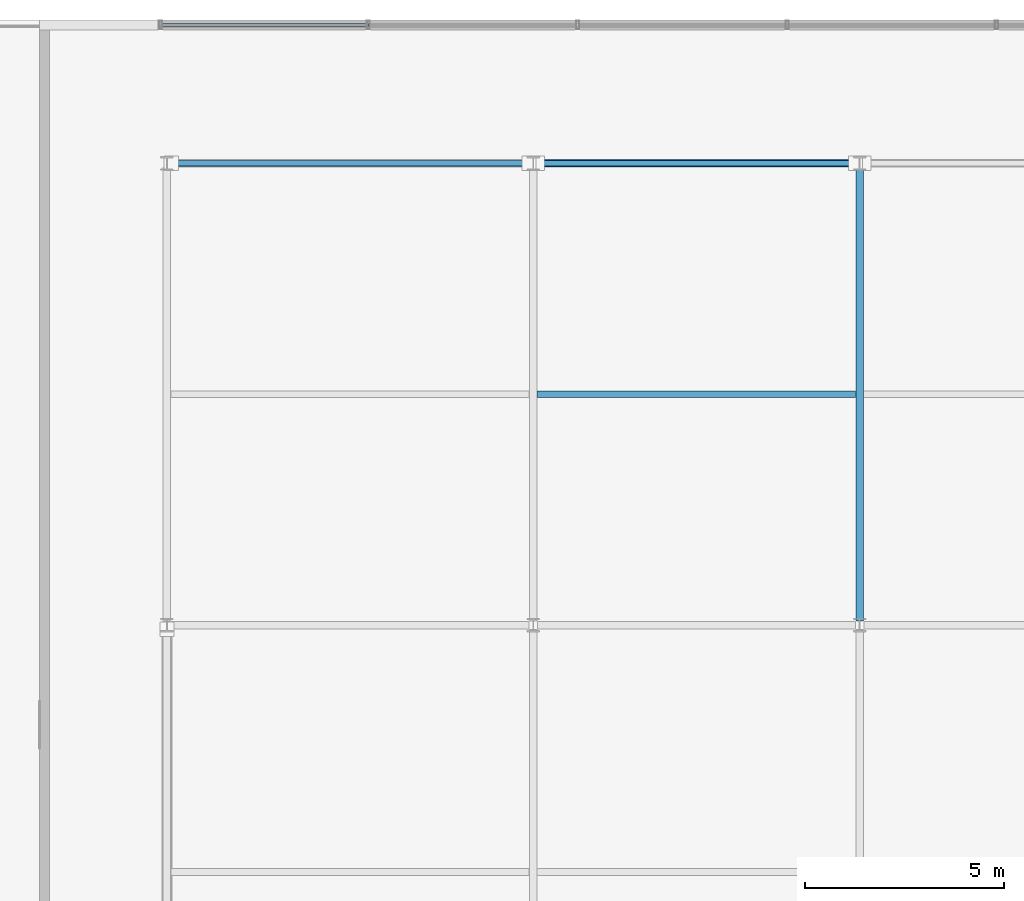
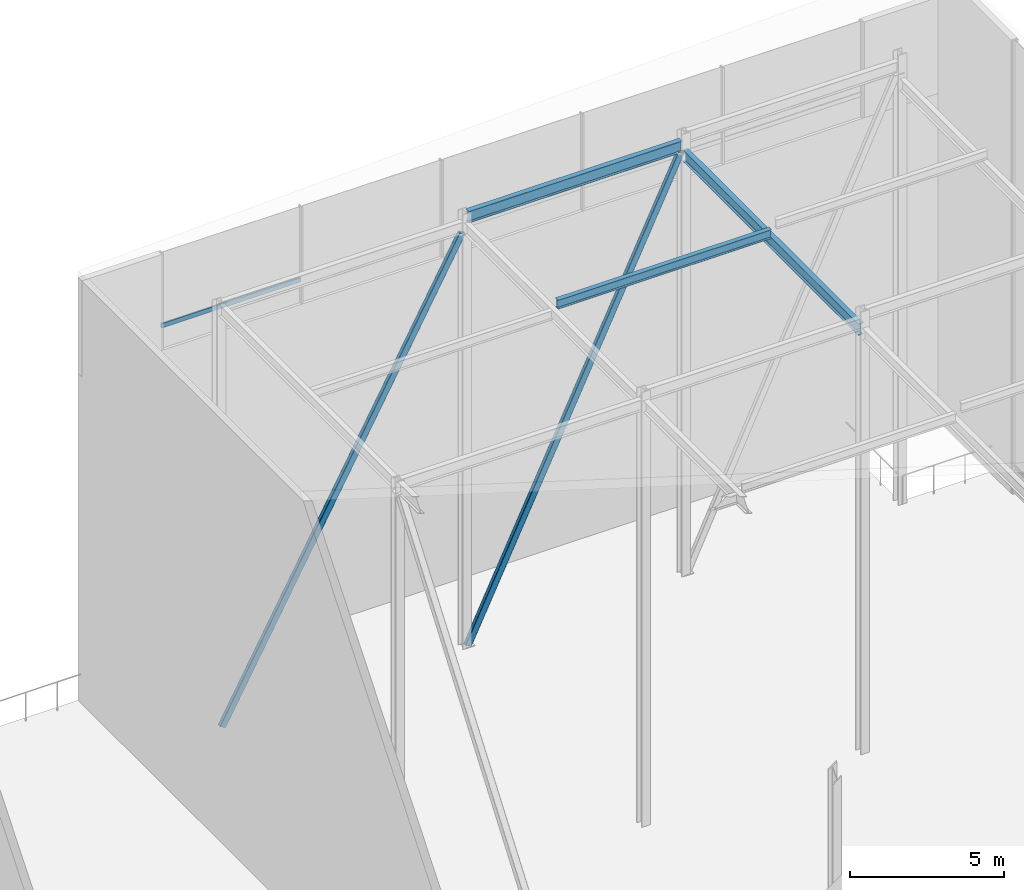
# One storey, part 23 of 39: 3 beams, 3 members, 1 element without a shape of its own.
"""IFC4 building model written with IfcOpenShell, lengths in metres."""

from ifc_helpers import new_model, si_unit, direction, frame, origin, origin_2d, place, context, subcontext, project, spatial, hollow_rectangle, i_section, extrude, material, layer, layer_set, material_profile, profile_set, type_object, element, aggregate, save


model = new_model("IFC4")

# Units and contexts
model_context = context("Model", 3, precision=1e-05, world=origin(), true_north=direction((0.0, 1.0)))
body_context = subcontext(model_context, "Body", "Model", "MODEL_VIEW")
ifc_project = project(units=[si_unit("LENGTHUNIT", "METRE"), si_unit("AREAUNIT", "SQUARE_METRE"), si_unit("VOLUMEUNIT", "CUBIC_METRE"), si_unit("PLANEANGLEUNIT", "RADIAN"), si_unit("MASSUNIT", "GRAM", prefix="KILO")], contexts=[model_context])

# Site, building, storey
site_placement = place(None, origin())
site = spatial("IfcSite", under=ifc_project, at=site_placement, CompositionType="ELEMENT")
building_placement = place(site_placement, origin())
building = spatial("IfcBuilding", under=site, at=building_placement, Name="Korimba Cascade Residences", CompositionType="ELEMENT")
storey_placement = place(building_placement, frame((0.0, 0.0, 264.199951171875)))
storey = spatial("IfcBuildingStorey", under=building, at=storey_placement, Name="RF", CompositionType="ELEMENT", Elevation=264.199951171875)

# Beams
ifc_material_1 = material(Name="Steel S355", Category="steel")
ifc_material_profile_1 = material_profile(ifc_material_1, i_section(OverallWidth=0.172119140625, OverallDepth=0.35791015625, WebThickness=0.008056640625, FlangeThickness=0.012939453125, FilletRadius=0.01025390625, at=origin_2d()), Name="Steel S355")
ifc_profile_set_1 = profile_set([ifc_material_profile_1], Name="Steel S355")
beam_type_1 = type_object("IfcBeamType", Name="BM-STL-UB356", PredefinedType="JOIST", material=ifc_profile_set_1)
beam_1_placement = place(storey_placement, frame((112.199951171875, 85.39990234375, 17.03173828125), z_axis=(1.0, 0.0, 0.0), x_axis=(0.0, 1.0, 0.0)))
element("IfcBeam", 1, at=beam_1_placement, inside=storey, type_object=beam_type_1, Name="RF Crown Cap Joist E3.2", PredefinedType="JOIST", context=body_context, shape_type="SweptSolid", body=[
    extrude(i_section(OverallWidth=0.172119140625, OverallDepth=0.35791015625, WebThickness=0.008056640625, FlangeThickness=0.012939453125, FilletRadius=0.01025390625, at=origin_2d()), origin(), (0.0, 0.0, 1.0), 8.0),
])
ifc_material_profile_2 = material_profile(ifc_material_1, i_section(OverallWidth=0.19140625, OverallDepth=0.4599609375, WebThickness=0.010009765625, FlangeThickness=0.01611328125, FilletRadius=0.01025390625, at=origin_2d()), Name="Steel S355")
ifc_profile_set_2 = profile_set([ifc_material_profile_2], Name="Steel S355")
beam_type_2 = type_object("IfcBeamType", Name="BM-STL-UB457", PredefinedType="JOIST", material=ifc_profile_set_2)
beam_2_placement = place(storey_placement, frame((112.205078125, 91.199951171875, 16.980712890625), z_axis=(1.0, 0.0, 0.0), x_axis=(0.0, 1.0, 0.0)))
element("IfcBeam", 2, at=beam_2_placement, inside=storey, type_object=beam_type_2, Name="RF Crown Cap Ring Beam E4.2", PredefinedType="JOIST", context=body_context, shape_type="SweptSolid", body=[
    extrude(i_section(OverallWidth=0.19140625, OverallDepth=0.4599609375, WebThickness=0.010009765625, FlangeThickness=0.01611328125, FilletRadius=0.01025390625, at=origin_2d()), origin(), (0.0, 0.0, 1.0), 7.989990234375),
])
beam_3_placement = place(storey_placement, frame((120.300048828125, 79.705078125, 16.638916015625), z_axis=(0.0, 1.0, 0.0), x_axis=(-1.0, 0.0, 0.0)))
element("IfcBeam", 3, at=beam_3_placement, inside=storey, type_object=beam_type_2, Name="RF Crown Cap Tie Beam E3.3", PredefinedType="JOIST", context=body_context, shape_type="SweptSolid", body=[
    extrude(i_section(OverallWidth=0.19140625, OverallDepth=0.4599609375, WebThickness=0.010009765625, FlangeThickness=0.01611328125, FilletRadius=0.01025390625, at=origin_2d()), origin(), (0.0, 0.0, 1.0), 11.389892578125),
])

# Curtain wall, member
ifc_material_2 = material(Name="Anodised Aluminium Curtain Wall Framing", Category="aluminium")
ifc_layer = layer(ifc_material_2, 0.179931640625)
ifc_layer_set = layer_set([ifc_layer], Name="Anodised Aluminium Curtain Wall Framing")
curtain_wall_type = type_object("IfcCurtainWallType", Name="CW-CRNW-SYS5", PredefinedType="NOTDEFINED", material=ifc_layer_set)
curtain_wall_placement = place(storey_placement, origin())
curtain_wall = element("IfcCurtainWall", 4, at=curtain_wall_placement, inside=storey, type_object=curtain_wall_type, Name="RF Curtain Wall CW-RF-CRN-E-2", PredefinedType="NOTDEFINED")
ifc_material_3 = material(Name="Anodised Aluminium Transom", Category="aluminium")
ifc_material_profile_3 = material_profile(ifc_material_3, hollow_rectangle(XDim=0.070068359375, YDim=0.179931640625, WallThickness=0.0048828125, InnerFilletRadius=0.0048828125, OuterFilletRadius=0.010009765625, at=origin_2d()), Name="Anodised Aluminium Transom")
ifc_profile_set_3 = profile_set([ifc_material_profile_3], Name="Anodised Aluminium Transom")
member_type_1 = type_object("IfcMemberType", Name="CWM-TRN-150", PredefinedType="USERDEFINED", material=ifc_profile_set_3)
member_1_placement = place(storey_placement, frame((102.739990234375, 94.675048828125, 13.85009765625), z_axis=(1.0, 0.0, 0.0), x_axis=(0.0, 1.0, 0.0)))
member_1 = element("IfcMember", 5, at=member_1_placement, type_object=member_type_1, Name="CW-RF-CRN-E-2 Transom 1", ObjectType="TRANSOM", PredefinedType="USERDEFINED", context=body_context, shape_type="SweptSolid", body=[
    extrude(hollow_rectangle(XDim=0.070068359375, YDim=0.179931640625, WallThickness=0.0048828125, InnerFilletRadius=0.0048828125, OuterFilletRadius=0.010009765625, at=origin_2d()), origin(), (0.0, 0.0, 1.0), 5.219970703125),
])
aggregate(curtain_wall, [member_1])

# Members
ifc_material_profile_4 = material_profile(ifc_material_1, hollow_rectangle(XDim=0.14990234375, YDim=0.25, WallThickness=0.009033203125, InnerFilletRadius=0.009033203125, OuterFilletRadius=0.01806640625, at=origin_2d()), Name="Steel S355")
ifc_profile_set_4 = profile_set([ifc_material_profile_4], Name="Steel S355")
member_type_2 = type_object("IfcMemberType", Name="MEM-CRN-RHS250", PredefinedType="BRACE", material=ifc_profile_set_4)
member_2_placement = place(storey_placement, frame((103.0048828125, 91.199951171875, 0.0), z_axis=(0.480357630509, 0.0, 0.877072714666), x_axis=(0.0, 1.0, 0.0)))
element("IfcMember", 6, at=member_2_placement, inside=storey, type_object=member_type_2, Name="RF CROWN FRAME Diagonal Brace E4.1", PredefinedType="BRACE", context=body_context, shape_type="SweptSolid", body=[
    extrude(hollow_rectangle(XDim=0.14990234375, YDim=0.25, WallThickness=0.009033203125, InnerFilletRadius=0.009033203125, OuterFilletRadius=0.01806640625, at=origin_2d()), origin(), (0.0, 0.0, 1.0), 18.7158203125),
])
member_3_placement = place(storey_placement, frame((112.205078125, 91.199951171875, 0.0), z_axis=(0.430396535474, 0.0, 0.902639918379), x_axis=(0.0, 1.0, 0.0)))
element("IfcMember", 7, at=member_3_placement, inside=storey, type_object=member_type_2, Name="RF CROWN FRAME Diagonal Brace E4.2", PredefinedType="BRACE", context=body_context, shape_type="SweptSolid", body=[
    extrude(hollow_rectangle(XDim=0.14990234375, YDim=0.25, WallThickness=0.009033203125, InnerFilletRadius=0.009033203125, OuterFilletRadius=0.01806640625, at=origin_2d()), origin(), (0.0, 0.0, 1.0), 18.564208984375),
])

save(model, "model.ifc")
